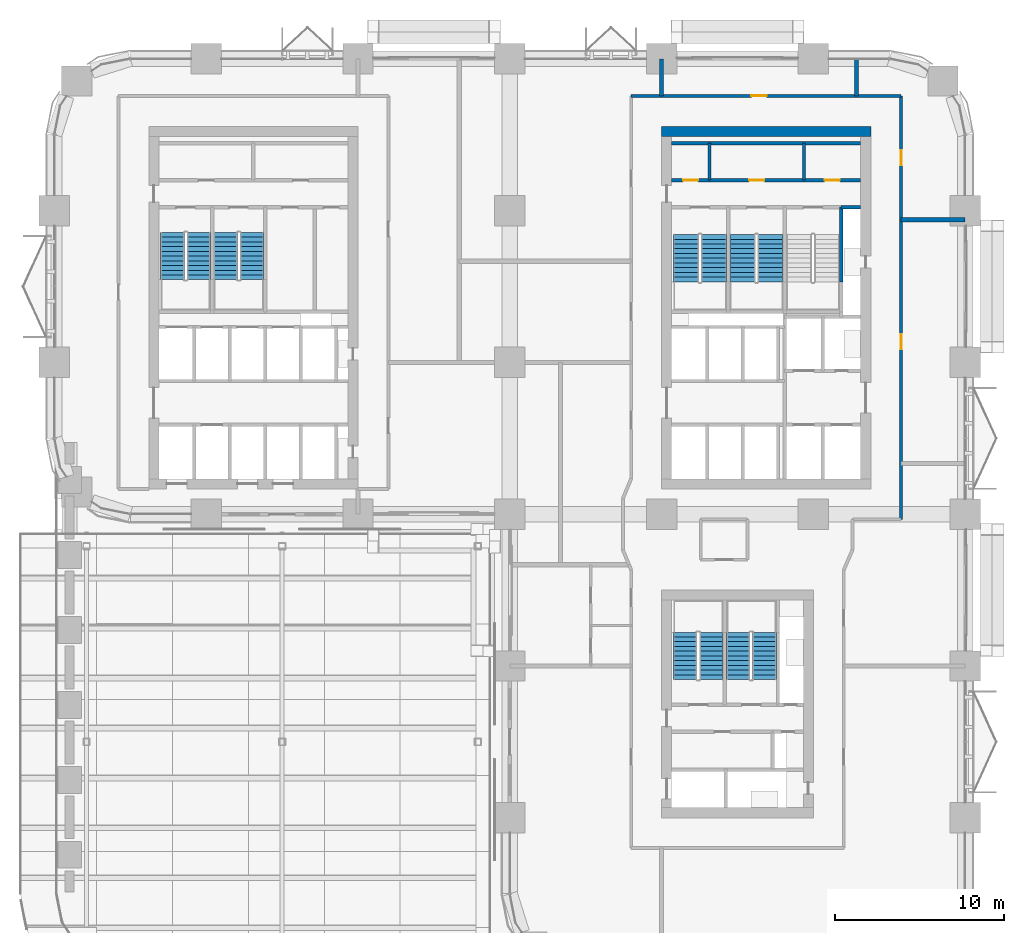
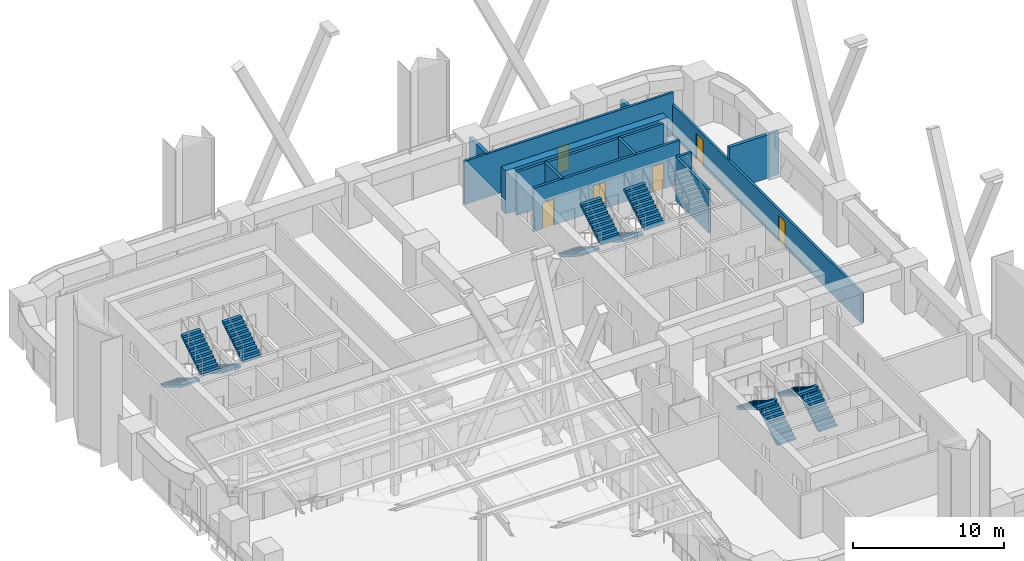
# One storey, part 17 of 22: 12 stair flights, 12 walls, 6 doors, 6 openings, 6 elements without a shape of their own.
"""IFC4 building model written with IfcOpenShell, lengths in metres."""

from ifc_helpers import new_model, si_unit, direction, frame, frame_2d, origin, place, context, subcontext, project, spatial, polyline, rectangle, outline, extrude, material, layer, layer_set, type_object, element, fill, aggregate, save


model = new_model("IFC4")

# Units and contexts
model_context = context("Model", 3, precision=1e-05, world=origin(), true_north=direction((0.0, 1.0)))
body_context = subcontext(model_context, "Body", "Model", "MODEL_VIEW")
ifc_project = project(units=[si_unit("LENGTHUNIT", "METRE"), si_unit("AREAUNIT", "SQUARE_METRE"), si_unit("VOLUMEUNIT", "CUBIC_METRE"), si_unit("PLANEANGLEUNIT", "RADIAN"), si_unit("MASSUNIT", "GRAM", prefix="KILO")], contexts=[model_context])

# Site, building, storey
site_placement = place(None, origin())
site = spatial("IfcSite", under=ifc_project, at=site_placement, CompositionType="ELEMENT")
building_placement = place(site_placement, origin())
building = spatial("IfcBuilding", under=site, at=building_placement, Name="Tessera Arch", CompositionType="ELEMENT")
storey_placement = place(building_placement, frame((0.0, 0.0, 77.800048828125)))
storey = spatial("IfcBuildingStorey", under=building, at=storey_placement, Name="L17", CompositionType="ELEMENT", Elevation=77.800048828125)

# Walls
ifc_material_1 = material(Name="Gypsum board on steel stud", Category="steel")
ifc_layer_1 = layer(ifc_material_1, 0.125)
ifc_layer_set_1 = layer_set([ifc_layer_1], Name="Core partition 125 EI 60")
wall_type_1 = type_object("IfcWallType", Name="Core partition 125 EI 60", PredefinedType="PARTITIONING", material=ifc_layer_set_1)
for number, where, z_axis, x_axis, name in (
    (1, (38.840087890625, 46.800048828125, 0.0), (0.0, 0.0, 1.0), (0.0, 1.0, 0.0), "L17 C1 partition wall 3"),
    (2, (44.43994140625, 46.800048828125, 0.0), (0.0, 0.0, 1.0), (0.0, 1.0, 0.0), "L17 C1 partition wall 13"),
):
    element("IfcWall", number, at=place(storey_placement, frame(where, z_axis=z_axis, x_axis=x_axis)), inside=storey, type_object=wall_type_1, Name=name, PredefinedType="PARTITIONING", context=body_context, shape_type="SweptSolid", body=[
        extrude(rectangle(XDim=2.199951171875, YDim=0.199951171875, at=frame_2d((1.10009765625, 0.0))), origin(), (0.0, 0.0, 1.0), 3.5),
    ])

# Wall, openings, doors
wall_1_placement = place(storey_placement, frame((36.60009765625, 46.800048828125, 0.0), z_axis=(0.0, 0.0, 1.0), x_axis=(1.0, 0.0, 0.0)))
wall_1 = element("IfcWall", 3, at=wall_1_placement, inside=storey, type_object=wall_type_1, Name="L17 C1 partition wall 32", PredefinedType="PARTITIONING", context=body_context, shape_type="SweptSolid", body=[
    extrude(rectangle(XDim=11.199951171875, YDim=0.199951171875, at=frame_2d((5.60009765625, 0.0))), origin(), (0.0, 0.0, 1.0), 3.5),
])
opening_1_placement = place(wall_1_placement, frame((0.669921875, 0.0, 0.0)))
opening_1 = element("IfcOpeningElement", 4, at=opening_1_placement, cuts=wall_1, Name="Opening L17-C12", PredefinedType="OPENING", context=body_context, shape_type="SweptSolid", body=[
    extrude(rectangle(XDim=0.89990234375, YDim=2.10009765625, at=frame_2d((0.449951171875, 1.050048828125))), frame((0.0, 0.10986328125, 0.0), z_axis=(0.0, -1.0, 0.0), x_axis=(1.0, 0.0, 0.0)), (0.0, 0.0, 1.0), 0.219970703125),
])
opening_2_placement = place(wall_1_placement, frame((4.590087890625, 0.0, 0.0)))
opening_2 = element("IfcOpeningElement", 5, at=opening_2_placement, cuts=wall_1, Name="Opening L17-C13", PredefinedType="OPENING", context=body_context, shape_type="SweptSolid", body=[
    extrude(rectangle(XDim=0.89990234375, YDim=2.10009765625, at=frame_2d((0.449951171875, 1.050048828125))), frame((0.0, 0.10986328125, 0.0), z_axis=(0.0, -1.0, 0.0), x_axis=(1.0, 0.0, 0.0)), (0.0, 0.0, 1.0), 0.219970703125),
])
opening_3_placement = place(wall_1_placement, frame((9.070068359375, 0.0, 0.0)))
opening_3 = element("IfcOpeningElement", 6, at=opening_3_placement, cuts=wall_1, Name="Opening L17-C14", PredefinedType="OPENING", context=body_context, shape_type="SweptSolid", body=[
    extrude(rectangle(XDim=0.89990234375, YDim=2.10009765625, at=frame_2d((0.449951171875, 1.050048828125))), frame((0.0, 0.10986328125, 0.0), z_axis=(0.0, -1.0, 0.0), x_axis=(1.0, 0.0, 0.0)), (0.0, 0.0, 1.0), 0.219970703125),
])
ifc_material_2 = material(Name="Steel door leaf", Category="steel")
door_type_1 = type_object("IfcDoorType", Name="Store door FD30S 900 x 2100", OperationType="SINGLE_SWING_LEFT", PredefinedType="DOOR", material=ifc_material_2)
door_1_placement = place(opening_1_placement, origin())
door_1 = element("IfcDoor", 7, at=door_1_placement, inside=storey, type_object=door_type_1, Name="L17 C1 door 12 C12 type D09", OperationType="SINGLE_SWING_LEFT", OverallHeight=2.10009765625, OverallWidth=0.89990234375, PredefinedType="DOOR", context=body_context, shape_type="SweptSolid", body=[
    extrude(rectangle(XDim=0.89990234375, YDim=2.10009765625, at=frame_2d((0.449951171875, 1.050048828125))), frame((0.0, 0.02490234375, 0.0), z_axis=(0.0, -1.0, 0.0), x_axis=(1.0, 0.0, 0.0)), (0.0, 0.0, 1.0), 0.050048828125),
])
fill(opening_1, door_1)
door_2_placement = place(opening_2_placement, origin())
door_2 = element("IfcDoor", 8, at=door_2_placement, inside=storey, type_object=door_type_1, Name="L17 C1 door 13 C13 type D09", OperationType="SINGLE_SWING_LEFT", OverallHeight=2.10009765625, OverallWidth=0.89990234375, PredefinedType="DOOR", context=body_context, shape_type="SweptSolid", body=[
    extrude(rectangle(XDim=0.89990234375, YDim=2.10009765625, at=frame_2d((0.449951171875, 1.050048828125))), frame((0.0, 0.02490234375, 0.0), z_axis=(0.0, -1.0, 0.0), x_axis=(1.0, 0.0, 0.0)), (0.0, 0.0, 1.0), 0.050048828125),
])
fill(opening_2, door_2)
door_3_placement = place(opening_3_placement, origin())
door_3 = element("IfcDoor", 9, at=door_3_placement, inside=storey, type_object=door_type_1, Name="L17 C1 door 14 C14 type D09", OperationType="SINGLE_SWING_RIGHT", OverallHeight=2.10009765625, OverallWidth=0.89990234375, PredefinedType="DOOR", context=body_context, shape_type="SweptSolid", body=[
    extrude(rectangle(XDim=0.89990234375, YDim=2.10009765625, at=frame_2d((0.449951171875, 1.050048828125))), frame((0.0, 0.02490234375, 0.0), z_axis=(0.0, -1.0, 0.0), x_axis=(1.0, 0.0, 0.0)), (0.0, 0.0, 1.0), 0.050048828125),
])
fill(opening_3, door_3)

# Walls
wall_2_placement = place(storey_placement, frame((36.60009765625, 49.0, 0.0), z_axis=(0.0, 0.0, 1.0), x_axis=(1.0, 0.0, 0.0)))
element("IfcWall", 10, at=wall_2_placement, inside=storey, type_object=wall_type_1, Name="L17 C1 partition wall 33", PredefinedType="PARTITIONING", context=body_context, shape_type="SweptSolid", body=[
    extrude(rectangle(XDim=11.199951171875, YDim=0.199951171875, at=frame_2d((5.60009765625, 0.0))), origin(), (0.0, 0.0, 1.0), 3.5),
])
ifc_material_3 = material(Name="Concrete C70/85", Category="concrete")
ifc_layer_2 = layer(ifc_material_3, 0.60009765625)
ifc_layer_set_2 = layer_set([ifc_layer_2], Name="Core shell wall 600 C70-85")
wall_type_2 = type_object("IfcWallType", Name="Core shell wall 600 C70-85", PredefinedType="SHEAR", material=ifc_layer_set_2)
wall_3_placement = place(storey_placement, frame((36.0, 49.699951171875, 0.0), z_axis=(0.0, 0.0, 1.0), x_axis=(1.0, 0.0, 0.0)))
element("IfcWall", 11, at=wall_3_placement, inside=storey, type_object=wall_type_2, Name="L17 C1 core wall N", PredefinedType="SHEAR", context=body_context, shape_type="SweptSolid", body=[
    extrude(rectangle(XDim=12.39990234375, YDim=0.60009765625, at=frame_2d((6.199951171875, 0.0))), origin(), (0.0, 0.0, 1.0), 3.5),
])

# Wall, opening, door
ifc_material_4 = material(Name="Gypsum board on deep steel stud with mineral wool", Category="steel")
ifc_layer_3 = layer(ifc_material_4, 0.175048828125)
ifc_layer_set_3 = layer_set([ifc_layer_3], Name="Corridor wall 175 EI 60")
wall_type_3 = type_object("IfcWallType", Name="Corridor wall 175 EI 60", PredefinedType="PARTITIONING", material=ifc_layer_set_3)
wall_4_placement = place(storey_placement, frame((34.199951171875, 51.800048828125, 0.0), z_axis=(0.0, 0.0, 1.0), x_axis=(1.0, 0.0, 0.0)))
wall_4 = element("IfcWall", 12, at=wall_4_placement, inside=storey, type_object=wall_type_3, Name="L17 partition 8", PredefinedType="PARTITIONING", context=body_context, shape_type="SweptSolid", body=[
    extrude(rectangle(XDim=16.0, YDim=0.175048828125, at=frame_2d((8.0, 0.0))), origin(), (0.0, 0.0, 1.0), 3.5),
])
opening_4_placement = place(wall_4_placement, frame((7.128662109375, 0.0, 0.0)))
opening_4 = element("IfcOpeningElement", 13, at=opening_4_placement, cuts=wall_4, Name="Opening L17-D016", PredefinedType="OPENING", context=body_context, shape_type="SweptSolid", body=[
    extrude(rectangle(XDim=0.89990234375, YDim=2.10009765625, at=frame_2d((0.449951171875, 1.050048828125))), frame((0.0, 0.097412109375, 0.0), z_axis=(0.0, -1.0, 0.0), x_axis=(1.0, 0.0, 0.0)), (0.0, 0.0, 1.0), 0.195068359375),
])
ifc_material_5 = material(Name="Timber door leaf", Category="wood")
door_type_2 = type_object("IfcDoorType", Name="Room door 900 x 2100", OperationType="SINGLE_SWING_LEFT", PredefinedType="DOOR", material=ifc_material_5)
door_4_placement = place(opening_4_placement, origin())
door_4 = element("IfcDoor", 14, at=door_4_placement, inside=storey, type_object=door_type_2, Name="L17 door D016 type D01", OperationType="SINGLE_SWING_RIGHT", OverallHeight=2.10009765625, OverallWidth=0.89990234375, PredefinedType="DOOR", context=body_context, shape_type="SweptSolid", body=[
    extrude(rectangle(XDim=0.89990234375, YDim=2.10009765625, at=frame_2d((0.449951171875, 1.050048828125))), frame((0.0, 0.02490234375, 0.0), z_axis=(0.0, -1.0, 0.0), x_axis=(1.0, 0.0, 0.0)), (0.0, 0.0, 1.0), 0.050048828125),
])
fill(opening_4, door_4)

# Wall, openings, doors
wall_5_placement = place(storey_placement, frame((50.199951171875, 26.699951171875, 0.0), z_axis=(0.0, 0.0, 1.0), x_axis=(0.0, 1.0, 0.0)))
wall_5 = element("IfcWall", 15, at=wall_5_placement, inside=storey, type_object=wall_type_3, Name="L17 partition 18", PredefinedType="PARTITIONING", context=body_context, shape_type="SweptSolid", body=[
    extrude(rectangle(XDim=25.10009765625, YDim=0.175048828125, at=frame_2d((12.550048828125, 0.0))), origin(), (0.0, 0.0, 1.0), 2.5),
])
opening_5_placement = place(wall_5_placement, frame((10.075927734375, 0.0, 0.0)))
opening_5 = element("IfcOpeningElement", 16, at=opening_5_placement, cuts=wall_5, Name="Opening L17-D010", PredefinedType="OPENING", context=body_context, shape_type="SweptSolid", body=[
    extrude(rectangle(XDim=0.89990234375, YDim=2.10009765625, at=frame_2d((0.449951171875, 1.050048828125))), frame((0.0, 0.097412109375, 0.0), z_axis=(0.0, -1.0, 0.0), x_axis=(1.0, 0.0, 0.0)), (0.0, 0.0, 1.0), 0.195068359375),
])
opening_6_placement = place(wall_5_placement, frame((20.975830078125, 0.0, 0.0)))
opening_6 = element("IfcOpeningElement", 17, at=opening_6_placement, cuts=wall_5, Name="Opening L17-D015", PredefinedType="OPENING", context=body_context, shape_type="SweptSolid", body=[
    extrude(rectangle(XDim=0.89990234375, YDim=2.10009765625, at=frame_2d((0.449951171875, 1.050048828125))), frame((0.0, 0.097412109375, 0.0), z_axis=(0.0, -1.0, 0.0), x_axis=(1.0, 0.0, 0.0)), (0.0, 0.0, 1.0), 0.195068359375),
])
door_5_placement = place(opening_5_placement, origin())
door_5 = element("IfcDoor", 18, at=door_5_placement, inside=storey, type_object=door_type_2, Name="L17 door D010 type D01", OperationType="SINGLE_SWING_LEFT", OverallHeight=2.10009765625, OverallWidth=0.89990234375, PredefinedType="DOOR", context=body_context, shape_type="SweptSolid", body=[
    extrude(rectangle(XDim=0.89990234375, YDim=2.10009765625, at=frame_2d((0.449951171875, 1.050048828125))), frame((0.0, 0.02490234375, 0.0), z_axis=(0.0, -1.0, 0.0), x_axis=(1.0, 0.0, 0.0)), (0.0, 0.0, 1.0), 0.050048828125),
])
fill(opening_5, door_5)
door_6_placement = place(opening_6_placement, origin())
door_6 = element("IfcDoor", 19, at=door_6_placement, inside=storey, type_object=door_type_2, Name="L17 door D015 type D01", OperationType="SINGLE_SWING_RIGHT", OverallHeight=2.10009765625, OverallWidth=0.89990234375, PredefinedType="DOOR", context=body_context, shape_type="SweptSolid", body=[
    extrude(rectangle(XDim=0.89990234375, YDim=2.10009765625, at=frame_2d((0.449951171875, 1.050048828125))), frame((0.0, 0.02490234375, 0.0), z_axis=(0.0, -1.0, 0.0), x_axis=(1.0, 0.0, 0.0)), (0.0, 0.0, 1.0), 0.050048828125),
])
fill(opening_6, door_6)

# Walls
ifc_material_6 = material(Name="Double gypsum board on twin steel stud with acoustic mineral wool", Category="steel")
ifc_layer_4 = layer(ifc_material_6, 0.25)
ifc_layer_set_4 = layer_set([ifc_layer_4], Name="Party wall 250 EI 60")
wall_type_4 = type_object("IfcWallType", Name="Party wall 250 EI 60", PredefinedType="PARTITIONING", material=ifc_layer_set_4)
wall_6_placement = place(storey_placement, frame((50.199951171875, 44.451904296875, 0.0), z_axis=(0.0, 0.0, 1.0), x_axis=(1.0, 0.0, 0.0)))
element("IfcWall", 20, at=wall_6_placement, inside=storey, type_object=wall_type_4, Name="L17 partition 26", PredefinedType="PARTITIONING", context=body_context, shape_type="SweptSolid", body=[
    extrude(rectangle(XDim=3.800048828125, YDim=0.25, at=frame_2d((1.89990234375, 0.0))), origin(), (0.0, 0.0, 1.0), 3.5),
])
wall_7_placement = place(storey_placement, frame((36.0, 51.800048828125, 0.0), z_axis=(0.0, 0.0, 1.0), x_axis=(0.0, 1.0, 0.0)))
element("IfcWall", 21, at=wall_7_placement, inside=storey, type_object=wall_type_4, Name="L17 partition 32", PredefinedType="PARTITIONING", context=body_context, shape_type="SweptSolid", body=[
    extrude(rectangle(XDim=2.199951171875, YDim=0.25, at=frame_2d((1.10009765625, 0.0))), origin(), (0.0, 0.0, 1.0), 3.5),
])
wall_8_placement = place(storey_placement, frame((47.556884765625, 51.800048828125, 0.0), z_axis=(0.0, 0.0, 1.0), x_axis=(0.0, 1.0, 0.0)))
element("IfcWall", 22, at=wall_8_placement, inside=storey, type_object=wall_type_4, Name="L17 partition 33", PredefinedType="PARTITIONING", context=body_context, shape_type="SweptSolid", body=[
    extrude(rectangle(XDim=2.199951171875, YDim=0.25, at=frame_2d((1.10009765625, 0.0))), origin(), (0.0, 0.0, 1.0), 2.5),
])
ifc_material_7 = material(Name="Concrete C40/50", Category="concrete")
ifc_layer_5 = layer(ifc_material_7, 0.199951171875)
ifc_layer_set_5 = layer_set([ifc_layer_5], Name="Shaft wall 200 EI 120")
wall_type_5 = type_object("IfcWallType", Name="Shaft wall 200 EI 120", PredefinedType="SOLIDWALL", material=ifc_layer_set_5)
wall_9_placement = place(storey_placement, frame((46.64990234375, 45.199951171875, 0.0), z_axis=(0.0, 0.0, 1.0), x_axis=(1.0, 0.0, 0.0)))
element("IfcWall", 23, at=wall_9_placement, inside=storey, type_object=wall_type_5, Name="L17 C1 shaft wall 30", PredefinedType="SOLIDWALL", context=body_context, shape_type="SweptSolid", body=[
    extrude(rectangle(XDim=1.150146484375, YDim=0.199951171875, at=frame_2d((0.5751953125, 0.0))), origin(), (0.0, 0.0, 1.0), 3.5),
])
ifc_material_8 = material(Name="Concrete C40/50", Category="concrete")
ifc_layer_6 = layer(ifc_material_8, 0.199951171875)
ifc_layer_set_6 = layer_set([ifc_layer_6], Name="Stair well wall 200 REI 180")
wall_type_6 = type_object("IfcWallType", Name="Stair well wall 200 REI 180", PredefinedType="SOLIDWALL", material=ifc_layer_set_6)
wall_10_placement = place(storey_placement, frame((46.64990234375, 40.780029296875, 0.0), z_axis=(0.0, 0.0, 1.0), x_axis=(0.0, 1.0, 0.0)))
element("IfcWall", 24, at=wall_10_placement, inside=storey, type_object=wall_type_6, Name="L17 C1 shaft wall 18", PredefinedType="SOLIDWALL", context=body_context, shape_type="SweptSolid", body=[
    extrude(rectangle(XDim=4.419921875, YDim=0.199951171875, at=frame_2d((2.2099609375, 0.0))), origin(), (0.0, 0.0, 1.0), 3.5),
])

# Stair, stair flights
ifc_material_9 = material(Name="Concrete C40/50", Category="concrete")
stair_type_1 = type_object("IfcStairType", Name="Dogleg stair 1400", PredefinedType="HALF_TURN_STAIR", material=ifc_material_9)
stair_1_placement = place(storey_placement, origin())
stair_1 = element("IfcStair", 25, at=stair_1_placement, inside=storey, type_object=stair_type_1, Name="L17 S2a", PredefinedType="HALF_TURN_STAIR")
ifc_material_10 = material(Name="Concrete C40/50", Category="concrete")
stair_flight_type_1 = type_object("IfcStairFlightType", Name="Stair flight 1400", PredefinedType="STRAIGHT", material=ifc_material_10)
stair_flight_1_placement = place(storey_placement, frame((7.0, 43.699951171875, 0.0), z_axis=(0.0, 0.0, 1.0), x_axis=(0.0, -1.0, 0.0)))
stair_flight_1 = element("IfcStairFlight", 26, at=stair_flight_1_placement, type_object=stair_flight_type_1, Name="S2a flight 1", NumberOfRisers=11, NumberOfTreads=10, PredefinedType="STRAIGHT", RiserHeight=0.172727273, TreadLength=0.28, context=body_context, shape_type="SweptSolid", body=[
    extrude(outline(polyline([(0.0, 0.0), (0.0, 0.172607421875), (0.280029296875, 0.172607421875), (0.280029296875, 0.345458984375), (0.56005859375, 0.345458984375), (0.56005859375, 0.51806640625), (0.840087890625, 0.51806640625), (0.840087890625, 0.69091796875), (1.1201171875, 0.69091796875), (1.1201171875, 0.863525390625), (1.39990234375, 0.863525390625), (1.39990234375, 1.036376953125), (1.679931640625, 1.036376953125), (1.679931640625, 1.208984375), (1.9599609375, 1.208984375), (1.9599609375, 1.3818359375), (2.239990234375, 1.3818359375), (2.239990234375, 1.554443359375), (2.52001953125, 1.554443359375), (2.52001953125, 1.727294921875), (2.800048828125, 1.727294921875), (2.800048828125, 1.89990234375), (2.800048828125, 1.551025390625), (0.285400390625, 0.0), (0.0, 0.0)])), frame((0.0, 0.699951171875, 0.0), z_axis=(0.0, -1.0, 0.0), x_axis=(1.0, 0.0, 0.0)), (0.0, 0.0, 1.0), 1.39990234375),
])
stair_flight_2_placement = place(storey_placement, frame((8.550048828125, 40.89990234375, 1.89990234375), z_axis=(0.0, 0.0, 1.0), x_axis=(0.0, 1.0, 0.0)))
stair_flight_2 = element("IfcStairFlight", 27, at=stair_flight_2_placement, type_object=stair_flight_type_1, Name="S2a flight 2", NumberOfRisers=11, NumberOfTreads=10, PredefinedType="STRAIGHT", RiserHeight=0.172727273, TreadLength=0.28, context=body_context, shape_type="SweptSolid", body=[
    extrude(outline(polyline([(0.0, 0.0), (0.0, 0.172607421875), (0.280029296875, 0.172607421875), (0.280029296875, 0.345458984375), (0.56005859375, 0.345458984375), (0.56005859375, 0.51806640625), (0.840087890625, 0.51806640625), (0.840087890625, 0.69091796875), (1.1201171875, 0.69091796875), (1.1201171875, 0.863525390625), (1.39990234375, 0.863525390625), (1.39990234375, 1.036376953125), (1.679931640625, 1.036376953125), (1.679931640625, 1.208984375), (1.9599609375, 1.208984375), (1.9599609375, 1.3818359375), (2.239990234375, 1.3818359375), (2.239990234375, 1.554443359375), (2.52001953125, 1.554443359375), (2.52001953125, 1.727294921875), (2.800048828125, 1.727294921875), (2.800048828125, 1.89990234375), (2.800048828125, 1.551025390625), (0.285400390625, 0.0), (0.0, 0.0)])), frame((0.0, 0.699951171875, 0.0), z_axis=(0.0, -1.0, 0.0), x_axis=(1.0, 0.0, 0.0)), (0.0, 0.0, 1.0), 1.39990234375),
])
aggregate(stair_1, [stair_flight_1, stair_flight_2])

stair_2_placement = place(storey_placement, origin())
stair_2 = element("IfcStair", 28, at=stair_2_placement, inside=storey, type_object=stair_type_1, Name="L17 S2b", PredefinedType="HALF_TURN_STAIR")
stair_flight_3_placement = place(storey_placement, frame((10.14990234375, 43.699951171875, 0.0), z_axis=(0.0, 0.0, 1.0), x_axis=(0.0, -1.0, 0.0)))
stair_flight_3 = element("IfcStairFlight", 29, at=stair_flight_3_placement, type_object=stair_flight_type_1, Name="S2b flight 1", NumberOfRisers=11, NumberOfTreads=10, PredefinedType="STRAIGHT", RiserHeight=0.172727273, TreadLength=0.28, context=body_context, shape_type="SweptSolid", body=[
    extrude(outline(polyline([(0.0, 0.0), (0.0, 0.172607421875), (0.280029296875, 0.172607421875), (0.280029296875, 0.345458984375), (0.56005859375, 0.345458984375), (0.56005859375, 0.51806640625), (0.840087890625, 0.51806640625), (0.840087890625, 0.69091796875), (1.1201171875, 0.69091796875), (1.1201171875, 0.863525390625), (1.39990234375, 0.863525390625), (1.39990234375, 1.036376953125), (1.679931640625, 1.036376953125), (1.679931640625, 1.208984375), (1.9599609375, 1.208984375), (1.9599609375, 1.3818359375), (2.239990234375, 1.3818359375), (2.239990234375, 1.554443359375), (2.52001953125, 1.554443359375), (2.52001953125, 1.727294921875), (2.800048828125, 1.727294921875), (2.800048828125, 1.89990234375), (2.800048828125, 1.551025390625), (0.285400390625, 0.0), (0.0, 0.0)])), frame((0.0, 0.699951171875, 0.0), z_axis=(0.0, -1.0, 0.0), x_axis=(1.0, 0.0, 0.0)), (0.0, 0.0, 1.0), 1.39990234375),
])
stair_flight_4_placement = place(storey_placement, frame((11.699951171875, 40.89990234375, 1.89990234375), z_axis=(0.0, 0.0, 1.0), x_axis=(0.0, 1.0, 0.0)))
stair_flight_4 = element("IfcStairFlight", 30, at=stair_flight_4_placement, type_object=stair_flight_type_1, Name="S2b flight 2", NumberOfRisers=11, NumberOfTreads=10, PredefinedType="STRAIGHT", RiserHeight=0.172727273, TreadLength=0.28, context=body_context, shape_type="SweptSolid", body=[
    extrude(outline(polyline([(0.0, 0.0), (0.0, 0.172607421875), (0.280029296875, 0.172607421875), (0.280029296875, 0.345458984375), (0.56005859375, 0.345458984375), (0.56005859375, 0.51806640625), (0.840087890625, 0.51806640625), (0.840087890625, 0.69091796875), (1.1201171875, 0.69091796875), (1.1201171875, 0.863525390625), (1.39990234375, 0.863525390625), (1.39990234375, 1.036376953125), (1.679931640625, 1.036376953125), (1.679931640625, 1.208984375), (1.9599609375, 1.208984375), (1.9599609375, 1.3818359375), (2.239990234375, 1.3818359375), (2.239990234375, 1.554443359375), (2.52001953125, 1.554443359375), (2.52001953125, 1.727294921875), (2.800048828125, 1.727294921875), (2.800048828125, 1.89990234375), (2.800048828125, 1.551025390625), (0.285400390625, 0.0), (0.0, 0.0)])), frame((0.0, 0.699951171875, 0.0), z_axis=(0.0, -1.0, 0.0), x_axis=(1.0, 0.0, 0.0)), (0.0, 0.0, 1.0), 1.39990234375),
])
aggregate(stair_2, [stair_flight_3, stair_flight_4])

stair_3_placement = place(storey_placement, origin())
stair_3 = element("IfcStair", 31, at=stair_3_placement, inside=storey, type_object=stair_type_1, Name="L17 S3a", PredefinedType="HALF_TURN_STAIR")
stair_flight_5_placement = place(storey_placement, frame((38.949951171875, 17.199951171875, 0.0), z_axis=(0.0, 0.0, 1.0), x_axis=(0.0, 1.0, 0.0)))
stair_flight_5 = element("IfcStairFlight", 32, at=stair_flight_5_placement, type_object=stair_flight_type_1, Name="S3a flight 1", NumberOfRisers=11, NumberOfTreads=10, PredefinedType="STRAIGHT", RiserHeight=0.172727273, TreadLength=0.28, context=body_context, shape_type="SweptSolid", body=[
    extrude(outline(polyline([(0.0, 0.0), (0.0, 0.172607421875), (0.280029296875, 0.172607421875), (0.280029296875, 0.345458984375), (0.56005859375, 0.345458984375), (0.56005859375, 0.51806640625), (0.840087890625, 0.51806640625), (0.840087890625, 0.69091796875), (1.1201171875, 0.69091796875), (1.1201171875, 0.863525390625), (1.39990234375, 0.863525390625), (1.39990234375, 1.036376953125), (1.679931640625, 1.036376953125), (1.679931640625, 1.208984375), (1.9599609375, 1.208984375), (1.9599609375, 1.3818359375), (2.239990234375, 1.3818359375), (2.239990234375, 1.554443359375), (2.52001953125, 1.554443359375), (2.52001953125, 1.727294921875), (2.800048828125, 1.727294921875), (2.800048828125, 1.89990234375), (2.800048828125, 1.551025390625), (0.285400390625, 0.0), (0.0, 0.0)])), frame((0.0, 0.699951171875, 0.0), z_axis=(0.0, -1.0, 0.0), x_axis=(1.0, 0.0, 0.0)), (0.0, 0.0, 1.0), 1.39990234375),
])
stair_flight_6_placement = place(storey_placement, frame((37.39990234375, 20.0, 1.89990234375), z_axis=(0.0, 0.0, 1.0), x_axis=(0.0, -1.0, 0.0)))
stair_flight_6 = element("IfcStairFlight", 33, at=stair_flight_6_placement, type_object=stair_flight_type_1, Name="S3a flight 2", NumberOfRisers=11, NumberOfTreads=10, PredefinedType="STRAIGHT", RiserHeight=0.172727273, TreadLength=0.28, context=body_context, shape_type="SweptSolid", body=[
    extrude(outline(polyline([(0.0, 0.0), (0.0, 0.172607421875), (0.280029296875, 0.172607421875), (0.280029296875, 0.345458984375), (0.56005859375, 0.345458984375), (0.56005859375, 0.51806640625), (0.840087890625, 0.51806640625), (0.840087890625, 0.69091796875), (1.1201171875, 0.69091796875), (1.1201171875, 0.863525390625), (1.39990234375, 0.863525390625), (1.39990234375, 1.036376953125), (1.679931640625, 1.036376953125), (1.679931640625, 1.208984375), (1.9599609375, 1.208984375), (1.9599609375, 1.3818359375), (2.239990234375, 1.3818359375), (2.239990234375, 1.554443359375), (2.52001953125, 1.554443359375), (2.52001953125, 1.727294921875), (2.800048828125, 1.727294921875), (2.800048828125, 1.89990234375), (2.800048828125, 1.551025390625), (0.285400390625, 0.0), (0.0, 0.0)])), frame((0.0, 0.699951171875, 0.0), z_axis=(0.0, -1.0, 0.0), x_axis=(1.0, 0.0, 0.0)), (0.0, 0.0, 1.0), 1.39990234375),
])
aggregate(stair_3, [stair_flight_5, stair_flight_6])

stair_4_placement = place(storey_placement, origin())
stair_4 = element("IfcStair", 34, at=stair_4_placement, inside=storey, type_object=stair_type_1, Name="L17 S3b", PredefinedType="HALF_TURN_STAIR")
stair_flight_7_placement = place(storey_placement, frame((42.10009765625, 17.199951171875, 0.0), z_axis=(0.0, 0.0, 1.0), x_axis=(0.0, 1.0, 0.0)))
stair_flight_7 = element("IfcStairFlight", 35, at=stair_flight_7_placement, type_object=stair_flight_type_1, Name="S3b flight 1", NumberOfRisers=11, NumberOfTreads=10, PredefinedType="STRAIGHT", RiserHeight=0.172727273, TreadLength=0.28, context=body_context, shape_type="SweptSolid", body=[
    extrude(outline(polyline([(0.0, 0.0), (0.0, 0.172607421875), (0.280029296875, 0.172607421875), (0.280029296875, 0.345458984375), (0.56005859375, 0.345458984375), (0.56005859375, 0.51806640625), (0.840087890625, 0.51806640625), (0.840087890625, 0.69091796875), (1.1201171875, 0.69091796875), (1.1201171875, 0.863525390625), (1.39990234375, 0.863525390625), (1.39990234375, 1.036376953125), (1.679931640625, 1.036376953125), (1.679931640625, 1.208984375), (1.9599609375, 1.208984375), (1.9599609375, 1.3818359375), (2.239990234375, 1.3818359375), (2.239990234375, 1.554443359375), (2.52001953125, 1.554443359375), (2.52001953125, 1.727294921875), (2.800048828125, 1.727294921875), (2.800048828125, 1.89990234375), (2.800048828125, 1.551025390625), (0.285400390625, 0.0), (0.0, 0.0)])), frame((0.0, 0.699951171875, 0.0), z_axis=(0.0, -1.0, 0.0), x_axis=(1.0, 0.0, 0.0)), (0.0, 0.0, 1.0), 1.39990234375),
])
stair_flight_8_placement = place(storey_placement, frame((40.550048828125, 20.0, 1.89990234375), z_axis=(0.0, 0.0, 1.0), x_axis=(0.0, -1.0, 0.0)))
stair_flight_8 = element("IfcStairFlight", 36, at=stair_flight_8_placement, type_object=stair_flight_type_1, Name="S3b flight 2", NumberOfRisers=11, NumberOfTreads=10, PredefinedType="STRAIGHT", RiserHeight=0.172727273, TreadLength=0.28, context=body_context, shape_type="SweptSolid", body=[
    extrude(outline(polyline([(0.0, 0.0), (0.0, 0.172607421875), (0.280029296875, 0.172607421875), (0.280029296875, 0.345458984375), (0.56005859375, 0.345458984375), (0.56005859375, 0.51806640625), (0.840087890625, 0.51806640625), (0.840087890625, 0.69091796875), (1.1201171875, 0.69091796875), (1.1201171875, 0.863525390625), (1.39990234375, 0.863525390625), (1.39990234375, 1.036376953125), (1.679931640625, 1.036376953125), (1.679931640625, 1.208984375), (1.9599609375, 1.208984375), (1.9599609375, 1.3818359375), (2.239990234375, 1.3818359375), (2.239990234375, 1.554443359375), (2.52001953125, 1.554443359375), (2.52001953125, 1.727294921875), (2.800048828125, 1.727294921875), (2.800048828125, 1.89990234375), (2.800048828125, 1.551025390625), (0.285400390625, 0.0), (0.0, 0.0)])), frame((0.0, 0.699951171875, 0.0), z_axis=(0.0, -1.0, 0.0), x_axis=(1.0, 0.0, 0.0)), (0.0, 0.0, 1.0), 1.39990234375),
])
aggregate(stair_4, [stair_flight_7, stair_flight_8])

ifc_material_11 = material(Name="Concrete C40/50", Category="concrete")
stair_type_2 = type_object("IfcStairType", Name="Dogleg stair 1520", PredefinedType="HALF_TURN_STAIR", material=ifc_material_11)
stair_5_placement = place(storey_placement, origin())
stair_5 = element("IfcStair", 37, at=stair_5_placement, inside=storey, type_object=stair_type_2, Name="L17 S1a", PredefinedType="HALF_TURN_STAIR")
ifc_material_12 = material(Name="Concrete C40/50", Category="concrete")
stair_flight_type_2 = type_object("IfcStairFlightType", Name="Stair flight 1520", PredefinedType="STRAIGHT", material=ifc_material_12)
stair_flight_9_placement = place(storey_placement, frame((37.4599609375, 43.580078125, 0.0), z_axis=(0.0, 0.0, 1.0), x_axis=(0.0, -1.0, 0.0)))
stair_flight_9 = element("IfcStairFlight", 38, at=stair_flight_9_placement, type_object=stair_flight_type_2, Name="S1a flight 1", NumberOfRisers=11, NumberOfTreads=10, PredefinedType="STRAIGHT", RiserHeight=0.172727273, TreadLength=0.28, context=body_context, shape_type="SweptSolid", body=[
    extrude(outline(polyline([(0.0, 0.0), (0.0, 0.172607421875), (0.280029296875, 0.172607421875), (0.280029296875, 0.345458984375), (0.56005859375, 0.345458984375), (0.56005859375, 0.51806640625), (0.840087890625, 0.51806640625), (0.840087890625, 0.69091796875), (1.1201171875, 0.69091796875), (1.1201171875, 0.863525390625), (1.39990234375, 0.863525390625), (1.39990234375, 1.036376953125), (1.679931640625, 1.036376953125), (1.679931640625, 1.208984375), (1.9599609375, 1.208984375), (1.9599609375, 1.3818359375), (2.239990234375, 1.3818359375), (2.239990234375, 1.554443359375), (2.52001953125, 1.554443359375), (2.52001953125, 1.727294921875), (2.800048828125, 1.727294921875), (2.800048828125, 1.89990234375), (2.800048828125, 1.551025390625), (0.285400390625, 0.0), (0.0, 0.0)])), frame((0.0, 0.760009765625, 0.0), z_axis=(0.0, -1.0, 0.0), x_axis=(1.0, 0.0, 0.0)), (0.0, 0.0, 1.0), 1.52001953125),
])
stair_flight_10_placement = place(storey_placement, frame((39.090087890625, 40.780029296875, 1.89990234375), z_axis=(0.0, 0.0, 1.0), x_axis=(0.0, 1.0, 0.0)))
stair_flight_10 = element("IfcStairFlight", 39, at=stair_flight_10_placement, type_object=stair_flight_type_2, Name="S1a flight 2", NumberOfRisers=11, NumberOfTreads=10, PredefinedType="STRAIGHT", RiserHeight=0.172727273, TreadLength=0.28, context=body_context, shape_type="SweptSolid", body=[
    extrude(outline(polyline([(0.0, 0.0), (0.0, 0.172607421875), (0.280029296875, 0.172607421875), (0.280029296875, 0.345458984375), (0.56005859375, 0.345458984375), (0.56005859375, 0.51806640625), (0.840087890625, 0.51806640625), (0.840087890625, 0.69091796875), (1.1201171875, 0.69091796875), (1.1201171875, 0.863525390625), (1.39990234375, 0.863525390625), (1.39990234375, 1.036376953125), (1.679931640625, 1.036376953125), (1.679931640625, 1.208984375), (1.9599609375, 1.208984375), (1.9599609375, 1.3818359375), (2.239990234375, 1.3818359375), (2.239990234375, 1.554443359375), (2.52001953125, 1.554443359375), (2.52001953125, 1.727294921875), (2.800048828125, 1.727294921875), (2.800048828125, 1.89990234375), (2.800048828125, 1.551025390625), (0.285400390625, 0.0), (0.0, 0.0)])), frame((0.0, 0.760009765625, 0.0), z_axis=(0.0, -1.0, 0.0), x_axis=(1.0, 0.0, 0.0)), (0.0, 0.0, 1.0), 1.52001953125),
])
aggregate(stair_5, [stair_flight_9, stair_flight_10])

stair_6_placement = place(storey_placement, origin())
stair_6 = element("IfcStair", 40, at=stair_6_placement, inside=storey, type_object=stair_type_2, Name="L17 S1b", PredefinedType="HALF_TURN_STAIR")
stair_flight_11_placement = place(storey_placement, frame((40.81005859375, 43.580078125, 0.0), z_axis=(0.0, 0.0, 1.0), x_axis=(0.0, -1.0, 0.0)))
stair_flight_11 = element("IfcStairFlight", 41, at=stair_flight_11_placement, type_object=stair_flight_type_2, Name="S1b flight 1", NumberOfRisers=11, NumberOfTreads=10, PredefinedType="STRAIGHT", RiserHeight=0.172727273, TreadLength=0.28, context=body_context, shape_type="SweptSolid", body=[
    extrude(outline(polyline([(0.0, 0.0), (0.0, 0.172607421875), (0.280029296875, 0.172607421875), (0.280029296875, 0.345458984375), (0.56005859375, 0.345458984375), (0.56005859375, 0.51806640625), (0.840087890625, 0.51806640625), (0.840087890625, 0.69091796875), (1.1201171875, 0.69091796875), (1.1201171875, 0.863525390625), (1.39990234375, 0.863525390625), (1.39990234375, 1.036376953125), (1.679931640625, 1.036376953125), (1.679931640625, 1.208984375), (1.9599609375, 1.208984375), (1.9599609375, 1.3818359375), (2.239990234375, 1.3818359375), (2.239990234375, 1.554443359375), (2.52001953125, 1.554443359375), (2.52001953125, 1.727294921875), (2.800048828125, 1.727294921875), (2.800048828125, 1.89990234375), (2.800048828125, 1.551025390625), (0.285400390625, 0.0), (0.0, 0.0)])), frame((0.0, 0.760009765625, 0.0), z_axis=(0.0, -1.0, 0.0), x_axis=(1.0, 0.0, 0.0)), (0.0, 0.0, 1.0), 1.52001953125),
])
stair_flight_12_placement = place(storey_placement, frame((42.43994140625, 40.780029296875, 1.89990234375), z_axis=(0.0, 0.0, 1.0), x_axis=(0.0, 1.0, 0.0)))
stair_flight_12 = element("IfcStairFlight", 42, at=stair_flight_12_placement, type_object=stair_flight_type_2, Name="S1b flight 2", NumberOfRisers=11, NumberOfTreads=10, PredefinedType="STRAIGHT", RiserHeight=0.172727273, TreadLength=0.28, context=body_context, shape_type="SweptSolid", body=[
    extrude(outline(polyline([(0.0, 0.0), (0.0, 0.172607421875), (0.280029296875, 0.172607421875), (0.280029296875, 0.345458984375), (0.56005859375, 0.345458984375), (0.56005859375, 0.51806640625), (0.840087890625, 0.51806640625), (0.840087890625, 0.69091796875), (1.1201171875, 0.69091796875), (1.1201171875, 0.863525390625), (1.39990234375, 0.863525390625), (1.39990234375, 1.036376953125), (1.679931640625, 1.036376953125), (1.679931640625, 1.208984375), (1.9599609375, 1.208984375), (1.9599609375, 1.3818359375), (2.239990234375, 1.3818359375), (2.239990234375, 1.554443359375), (2.52001953125, 1.554443359375), (2.52001953125, 1.727294921875), (2.800048828125, 1.727294921875), (2.800048828125, 1.89990234375), (2.800048828125, 1.551025390625), (0.285400390625, 0.0), (0.0, 0.0)])), frame((0.0, 0.760009765625, 0.0), z_axis=(0.0, -1.0, 0.0), x_axis=(1.0, 0.0, 0.0)), (0.0, 0.0, 1.0), 1.52001953125),
])
aggregate(stair_6, [stair_flight_11, stair_flight_12])

save(model, "model.ifc")
